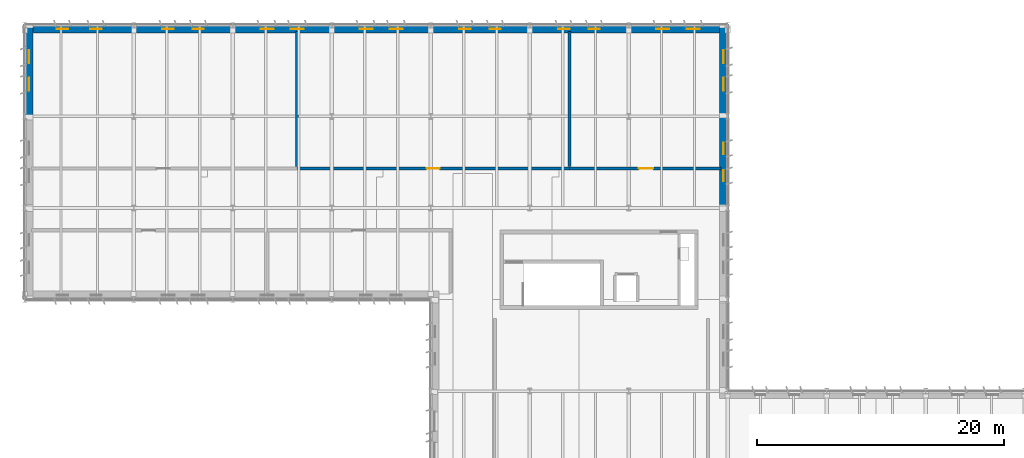
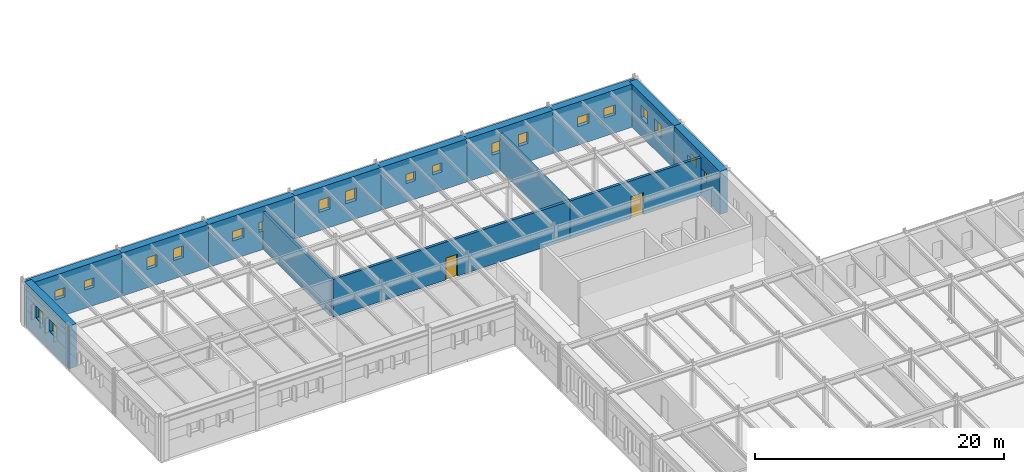
# One storey, part 47 of 75: 20 windows, 14 walls, 2 doors, 22 openings.
"""IFC4 building model written with IfcOpenShell, lengths in metres."""

from ifc_helpers import new_model, si_unit, direction, frame, frame_2d, origin, place, context, subcontext, project, spatial, rectangle, extrude, material, layer, layer_set, type_object, element, fill, save


model = new_model("IFC4")

# Units and contexts
model_context = context("Model", 3, precision=1e-05, world=origin(), true_north=direction((0.0, 1.0)))
body_context = subcontext(model_context, "Body", "Model", "MODEL_VIEW")
ifc_project = project(units=[si_unit("LENGTHUNIT", "METRE"), si_unit("AREAUNIT", "SQUARE_METRE"), si_unit("VOLUMEUNIT", "CUBIC_METRE"), si_unit("PLANEANGLEUNIT", "RADIAN"), si_unit("MASSUNIT", "GRAM", prefix="KILO")], contexts=[model_context])

# Site, building, storey
site_placement = place(None, origin())
site = spatial("IfcSite", under=ifc_project, at=site_placement, CompositionType="ELEMENT")
building_placement = place(site_placement, origin())
building = spatial("IfcBuilding", under=site, at=building_placement, Name="Valkorina Park Police Headquarters", CompositionType="ELEMENT")
storey_placement = place(building_placement, frame((0.0, 0.0, 5.39990234375)))
storey = spatial("IfcBuildingStorey", under=building, at=storey_placement, Name="L02", CompositionType="ELEMENT", Elevation=5.39990234375)

# Wall
ifc_material_1 = material(Name="Concrete C40/50", Category="concrete")
ifc_layer_1 = layer(ifc_material_1, 0.25)
ifc_layer_set_1 = layer_set([ifc_layer_1], Name="Concrete C40/50")
wall_type_1 = type_object("IfcWallType", Name="WL-CUST-250-REI120", PredefinedType="SOLIDWALL", material=ifc_layer_set_1)
wall_1_placement = place(storey_placement, frame((22.0, 99.5400390625, 0.0), z_axis=(0.0, 0.0, 1.0), x_axis=(0.0, 1.0, 0.0)))
element("IfcWall", 1, at=wall_1_placement, inside=storey, type_object=wall_type_1, Name="L02 Interior Partition 0130 (L02-CELL-A)", PredefinedType="SOLIDWALL", context=body_context, shape_type="SweptSolid", body=[
    extrude(rectangle(XDim=10.919921875, YDim=0.25, at=frame_2d((5.4599609375, 0.0))), origin(), (0.0, 0.0, 1.0), 3.650146484375),
])

# Wall, opening, door
wall_2_placement = place(storey_placement, frame((22.0, 99.39990234375, 0.0), z_axis=(0.0, 0.0, 1.0), x_axis=(1.0, 0.0, 0.0)))
wall_2 = element("IfcWall", 2, at=wall_2_placement, inside=storey, type_object=wall_type_1, Name="L02 Interior Partition 0131 (L02-CELL-B)", PredefinedType="SOLIDWALL", context=body_context, shape_type="SweptSolid", body=[
    extrude(rectangle(XDim=22.0, YDim=0.25, at=frame_2d((11.0, 0.0))), origin(), (0.0, 0.0, 1.0), 3.710205078125),
])
opening_1_placement = place(wall_2_placement, frame((10.47509765625, 0.0, 0.0)))
opening_1 = element("IfcOpeningElement", 3, at=opening_1_placement, cuts=wall_2, Name="Opening FD-01", PredefinedType="OPENING", context=body_context, shape_type="SweptSolid", body=[
    extrude(rectangle(XDim=1.050048828125, YDim=2.14990234375, at=frame_2d((0.52490234375, 1.074951171875))), frame((0.0, 0.135009765625, 0.0), z_axis=(0.0, -1.0, 0.0), x_axis=(1.0, 0.0, 0.0)), (0.0, 0.0, 1.0), 0.27001953125),
])
ifc_material_2 = material(Name="Galvanized steel door leaf", Category="steel")
ifc_layer_2 = layer(ifc_material_2, 0.050048828125)
ifc_layer_set_2 = layer_set([ifc_layer_2], Name="Galvanized steel door leaf")
door_type_1 = type_object("IfcDoorType", Name="DR-FIRE-CELL-1050x2150", OperationType="NOTDEFINED", PredefinedType="DOOR", material=ifc_layer_set_2)
door_1_placement = place(opening_1_placement, origin())
door_1 = element("IfcDoor", 4, at=door_1_placement, inside=storey, type_object=door_type_1, Name="Door D-L02-I060 (L02-CELL-B)", OperationType="SINGLE_SWING_LEFT", OverallHeight=2.14990234375, OverallWidth=1.050048828125, PredefinedType="DOOR", context=body_context, shape_type="SweptSolid", body=[
    extrude(rectangle(XDim=1.050048828125, YDim=2.14990234375, at=frame_2d((0.52490234375, 1.074951171875))), frame((0.0, 0.02490234375, 0.0), z_axis=(0.0, -1.0, 0.0), x_axis=(1.0, 0.0, 0.0)), (0.0, 0.0, 1.0), 0.050048828125),
])
fill(opening_1, door_1)

# Wall
wall_3_placement = place(storey_placement, frame((44.0, 99.5400390625, 0.0), z_axis=(0.0, 0.0, 1.0), x_axis=(0.0, 1.0, 0.0)))
element("IfcWall", 5, at=wall_3_placement, inside=storey, type_object=wall_type_1, Name="L02 Interior Partition 0132 (L02-CELL-B)", PredefinedType="SOLIDWALL", context=body_context, shape_type="SweptSolid", body=[
    extrude(rectangle(XDim=10.919921875, YDim=0.25, at=frame_2d((5.4599609375, 0.0))), origin(), (0.0, 0.0, 1.0), 3.650146484375),
])

# Wall, opening, door
wall_4_placement = place(storey_placement, frame((44.0, 99.39990234375, 0.0), z_axis=(0.0, 0.0, 1.0), x_axis=(1.0, 0.0, 0.0)))
wall_4 = element("IfcWall", 6, at=wall_4_placement, inside=storey, type_object=wall_type_1, Name="L02 Interior Partition 0137 (L02-CUS-STAFF)", PredefinedType="SOLIDWALL", context=body_context, shape_type="SweptSolid", body=[
    extrude(rectangle(XDim=12.260009765625, YDim=0.25, at=frame_2d((6.1298828125, 0.0))), origin(), (0.0, 0.0, 1.0), 3.710205078125),
])
opening_2_placement = place(wall_4_placement, frame((5.625, 0.0, 0.0)))
opening_2 = element("IfcOpeningElement", 7, at=opening_2_placement, cuts=wall_4, Name="Opening FD-02", PredefinedType="OPENING", context=body_context, shape_type="SweptSolid", body=[
    extrude(rectangle(XDim=1.14990234375, YDim=2.14990234375, at=frame_2d((0.574951171875, 1.074951171875))), frame((0.0, 0.135009765625, 0.0), z_axis=(0.0, -1.0, 0.0), x_axis=(1.0, 0.0, 0.0)), (0.0, 0.0, 1.0), 0.27001953125),
])
ifc_layer_3 = layer(ifc_material_2, 0.050048828125)
ifc_layer_set_3 = layer_set([ifc_layer_3], Name="Galvanized steel door leaf")
door_type_2 = type_object("IfcDoorType", Name="DR-FIRE-CUST-1150x2150", OperationType="NOTDEFINED", PredefinedType="DOOR", material=ifc_layer_set_3)
door_2_placement = place(opening_2_placement, origin())
door_2 = element("IfcDoor", 8, at=door_2_placement, inside=storey, type_object=door_type_2, Name="Door D-L02-I063 (L02-CUS-STAFF)", OperationType="SINGLE_SWING_RIGHT", OverallHeight=2.14990234375, OverallWidth=1.14990234375, PredefinedType="DOOR", context=body_context, shape_type="SweptSolid", body=[
    extrude(rectangle(XDim=1.14990234375, YDim=2.14990234375, at=frame_2d((0.574951171875, 1.074951171875))), frame((0.0, 0.02490234375, 0.0), z_axis=(0.0, -1.0, 0.0), x_axis=(1.0, 0.0, 0.0)), (0.0, 0.0, 1.0), 0.050048828125),
])
fill(opening_2, door_2)

# Wall, openings, windows
ifc_material_3 = material(Name="Precast concrete C40/50", Category="concrete")
ifc_layer_4 = layer(ifc_material_3, 0.679931640625)
ifc_layer_set_4 = layer_set([ifc_layer_4], Name="Precast concrete C40/50")
wall_type_2 = type_object("IfcWallType", Name="WL-EXT-DOLOMITE-680", PredefinedType="SOLIDWALL", material=ifc_layer_set_4)
wall_5_placement = place(storey_placement, frame((0.340087890625, 103.60009765625, 0.0), z_axis=(0.0, 0.0, 1.0), x_axis=(0.0, 1.0, 0.0)))
wall_5 = element("IfcWall", 9, at=wall_5_placement, inside=storey, type_object=wall_type_2, Name="L02 Architectural Concrete Exterior Wall 0123", PredefinedType="SOLIDWALL", context=body_context, shape_type="SweptSolid", body=[
    extrude(rectangle(XDim=7.164794921875, YDim=0.679931640625, at=frame_2d((3.58251953125, 0.0))), origin(), (0.0, 0.0, 1.0), 4.22021484375),
])
opening_3_placement = place(wall_5_placement, frame((2.066162109375, 0.0, 1.800048828125)))
opening_3 = element("IfcOpeningElement", 10, at=opening_3_placement, cuts=wall_5, Name="Opening WN-16", PredefinedType="OPENING", context=body_context, shape_type="SweptSolid", body=[
    extrude(rectangle(XDim=1.050048828125, YDim=1.199951171875, at=frame_2d((0.52490234375, 0.60009765625))), frame((0.0, 0.35009765625, 0.0), z_axis=(0.0, -1.0, 0.0), x_axis=(1.0, 0.0, 0.0)), (0.0, 0.0, 1.0), 0.699951171875),
])
opening_4_placement = place(wall_5_placement, frame((4.28369140625, 0.0, 1.800048828125)))
opening_4 = element("IfcOpeningElement", 11, at=opening_4_placement, cuts=wall_5, Name="Opening WN-16", PredefinedType="OPENING", context=body_context, shape_type="SweptSolid", body=[
    extrude(rectangle(XDim=1.050048828125, YDim=1.199951171875, at=frame_2d((0.52490234375, 0.60009765625))), frame((0.0, 0.35009765625, 0.0), z_axis=(0.0, -1.0, 0.0), x_axis=(1.0, 0.0, 0.0)), (0.0, 0.0, 1.0), 0.699951171875),
])
ifc_material_4 = material(Name="Ballistic laminated glazing BR4-NS", Category="glass")
ifc_layer_5 = layer(ifc_material_4, 0.06005859375)
ifc_layer_set_5 = layer_set([ifc_layer_5], Name="Ballistic laminated glazing BR4-NS")
window_type_1 = type_object("IfcWindowType", Name="WN-CUST-1050x1200", PartitioningType="SINGLE_PANEL", PredefinedType="WINDOW", material=ifc_layer_set_5)
window_1_placement = place(opening_3_placement, origin())
window_1 = element("IfcWindow", 12, at=window_1_placement, inside=storey, type_object=window_type_1, Name="Window L02-0198", OverallHeight=1.199951171875, OverallWidth=1.050048828125, PartitioningType="SINGLE_PANEL", PredefinedType="WINDOW", context=body_context, shape_type="SweptSolid", body=[
    extrude(rectangle(XDim=1.050048828125, YDim=1.199951171875, at=frame_2d((0.52490234375, 0.60009765625))), frame((0.0, 0.030029296875, 0.0), z_axis=(0.0, -1.0, 0.0), x_axis=(1.0, 0.0, 0.0)), (0.0, 0.0, 1.0), 0.06005859375),
])
fill(opening_3, window_1)
window_2_placement = place(opening_4_placement, origin())
window_2 = element("IfcWindow", 13, at=window_2_placement, inside=storey, type_object=window_type_1, Name="Window L02-0199", OverallHeight=1.199951171875, OverallWidth=1.050048828125, PartitioningType="SINGLE_PANEL", PredefinedType="WINDOW", context=body_context, shape_type="SweptSolid", body=[
    extrude(rectangle(XDim=1.050048828125, YDim=1.199951171875, at=frame_2d((0.52490234375, 0.60009765625))), frame((0.0, 0.030029296875, 0.0), z_axis=(0.0, -1.0, 0.0), x_axis=(1.0, 0.0, 0.0)), (0.0, 0.0, 1.0), 0.06005859375),
])
fill(opening_4, window_2)

wall_6_placement = place(storey_placement, frame((0.159912109375, 110.659912109375, 0.0), z_axis=(0.0, 0.0, 1.0), x_axis=(1.0, 0.0, 0.0)))
wall_6 = element("IfcWall", 14, at=wall_6_placement, inside=storey, type_object=wall_type_2, Name="L02 Architectural Concrete Exterior Wall 0124", PredefinedType="SOLIDWALL", context=body_context, shape_type="SweptSolid", body=[
    extrude(rectangle(XDim=8.64013671875, YDim=0.679931640625, at=frame_2d((4.320068359375, 0.0))), origin(), (0.0, 0.0, 1.0), 4.22021484375),
])
opening_5_placement = place(wall_6_placement, frame((2.43310546875, 0.0, 1.800048828125)))
opening_5 = element("IfcOpeningElement", 15, at=opening_5_placement, cuts=wall_6, Name="Opening WN-13", PredefinedType="OPENING", context=body_context, shape_type="SweptSolid", body=[
    extrude(rectangle(XDim=0.89990234375, YDim=0.89990234375, at=frame_2d((0.449951171875, 0.449951171875))), frame((0.0, 0.35009765625, 0.0), z_axis=(0.0, -1.0, 0.0), x_axis=(1.0, 0.0, 0.0)), (0.0, 0.0, 1.0), 0.699951171875),
])
opening_6_placement = place(wall_6_placement, frame((5.146728515625, 0.0, 1.800048828125)))
opening_6 = element("IfcOpeningElement", 16, at=opening_6_placement, cuts=wall_6, Name="Opening WN-13", PredefinedType="OPENING", context=body_context, shape_type="SweptSolid", body=[
    extrude(rectangle(XDim=0.89990234375, YDim=0.89990234375, at=frame_2d((0.449951171875, 0.449951171875))), frame((0.0, 0.35009765625, 0.0), z_axis=(0.0, -1.0, 0.0), x_axis=(1.0, 0.0, 0.0)), (0.0, 0.0, 1.0), 0.699951171875),
])
ifc_layer_6 = layer(ifc_material_4, 0.06005859375)
ifc_layer_set_6 = layer_set([ifc_layer_6], Name="Ballistic laminated glazing BR4-NS")
window_type_2 = type_object("IfcWindowType", Name="WN-CUST-900x900", PartitioningType="SINGLE_PANEL", PredefinedType="WINDOW", material=ifc_layer_set_6)
window_3_placement = place(opening_5_placement, origin())
window_3 = element("IfcWindow", 17, at=window_3_placement, inside=storey, type_object=window_type_2, Name="Window L02-0200", OverallHeight=0.89990234375, OverallWidth=0.89990234375, PartitioningType="SINGLE_PANEL", PredefinedType="WINDOW", context=body_context, shape_type="SweptSolid", body=[
    extrude(rectangle(XDim=0.89990234375, YDim=0.89990234375, at=frame_2d((0.449951171875, 0.449951171875))), frame((0.0, 0.030029296875, 0.0), z_axis=(0.0, -1.0, 0.0), x_axis=(1.0, 0.0, 0.0)), (0.0, 0.0, 1.0), 0.06005859375),
])
fill(opening_5, window_3)
window_4_placement = place(opening_6_placement, origin())
window_4 = element("IfcWindow", 18, at=window_4_placement, inside=storey, type_object=window_type_2, Name="Window L02-0201", OverallHeight=0.89990234375, OverallWidth=0.89990234375, PartitioningType="SINGLE_PANEL", PredefinedType="WINDOW", context=body_context, shape_type="SweptSolid", body=[
    extrude(rectangle(XDim=0.89990234375, YDim=0.89990234375, at=frame_2d((0.449951171875, 0.449951171875))), frame((0.0, 0.030029296875, 0.0), z_axis=(0.0, -1.0, 0.0), x_axis=(1.0, 0.0, 0.0)), (0.0, 0.0, 1.0), 0.06005859375),
])
fill(opening_6, window_4)

wall_7_placement = place(storey_placement, frame((8.800048828125, 110.659912109375, 0.0), z_axis=(0.0, 0.0, 1.0), x_axis=(1.0, 0.0, 0.0)))
wall_7 = element("IfcWall", 19, at=wall_7_placement, inside=storey, type_object=wall_type_2, Name="L02 Architectural Concrete Exterior Wall 0125", PredefinedType="SOLIDWALL", context=body_context, shape_type="SweptSolid", body=[
    extrude(rectangle(XDim=8.0, YDim=0.679931640625, at=frame_2d((4.0, 0.0))), origin(), (0.0, 0.0, 1.0), 4.22021484375),
])
opening_7_placement = place(wall_7_placement, frame((2.3212890625, 0.0, 1.800048828125)))
opening_7 = element("IfcOpeningElement", 20, at=opening_7_placement, cuts=wall_7, Name="Opening WN-14", PredefinedType="OPENING", context=body_context, shape_type="SweptSolid", body=[
    extrude(rectangle(XDim=0.89990234375, YDim=1.14990234375, at=frame_2d((0.449951171875, 0.574951171875))), frame((0.0, 0.35009765625, 0.0), z_axis=(0.0, -1.0, 0.0), x_axis=(1.0, 0.0, 0.0)), (0.0, 0.0, 1.0), 0.699951171875),
])
opening_8_placement = place(wall_7_placement, frame((4.77880859375, 0.0, 1.800048828125)))
opening_8 = element("IfcOpeningElement", 21, at=opening_8_placement, cuts=wall_7, Name="Opening WN-14", PredefinedType="OPENING", context=body_context, shape_type="SweptSolid", body=[
    extrude(rectangle(XDim=0.89990234375, YDim=1.14990234375, at=frame_2d((0.449951171875, 0.574951171875))), frame((0.0, 0.35009765625, 0.0), z_axis=(0.0, -1.0, 0.0), x_axis=(1.0, 0.0, 0.0)), (0.0, 0.0, 1.0), 0.699951171875),
])
ifc_layer_7 = layer(ifc_material_4, 0.06005859375)
ifc_layer_set_7 = layer_set([ifc_layer_7], Name="Ballistic laminated glazing BR4-NS")
window_type_3 = type_object("IfcWindowType", Name="WN-CUST-900x1150", PartitioningType="SINGLE_PANEL", PredefinedType="WINDOW", material=ifc_layer_set_7)
window_5_placement = place(opening_7_placement, origin())
window_5 = element("IfcWindow", 22, at=window_5_placement, inside=storey, type_object=window_type_3, Name="Window L02-0202", OverallHeight=1.14990234375, OverallWidth=0.89990234375, PartitioningType="SINGLE_PANEL", PredefinedType="WINDOW", context=body_context, shape_type="SweptSolid", body=[
    extrude(rectangle(XDim=0.89990234375, YDim=1.14990234375, at=frame_2d((0.449951171875, 0.574951171875))), frame((0.0, 0.030029296875, 0.0), z_axis=(0.0, -1.0, 0.0), x_axis=(1.0, 0.0, 0.0)), (0.0, 0.0, 1.0), 0.06005859375),
])
fill(opening_7, window_5)
window_6_placement = place(opening_8_placement, origin())
window_6 = element("IfcWindow", 23, at=window_6_placement, inside=storey, type_object=window_type_3, Name="Window L02-0203", OverallHeight=1.14990234375, OverallWidth=0.89990234375, PartitioningType="SINGLE_PANEL", PredefinedType="WINDOW", context=body_context, shape_type="SweptSolid", body=[
    extrude(rectangle(XDim=0.89990234375, YDim=1.14990234375, at=frame_2d((0.449951171875, 0.574951171875))), frame((0.0, 0.030029296875, 0.0), z_axis=(0.0, -1.0, 0.0), x_axis=(1.0, 0.0, 0.0)), (0.0, 0.0, 1.0), 0.06005859375),
])
fill(opening_8, window_6)

wall_8_placement = place(storey_placement, frame((16.800048828125, 110.659912109375, 0.0), z_axis=(0.0, 0.0, 1.0), x_axis=(1.0, 0.0, 0.0)))
wall_8 = element("IfcWall", 24, at=wall_8_placement, inside=storey, type_object=wall_type_2, Name="L02 Architectural Concrete Exterior Wall 0126", PredefinedType="SOLIDWALL", context=body_context, shape_type="SweptSolid", body=[
    extrude(rectangle(XDim=8.0, YDim=0.679931640625, at=frame_2d((4.0, 0.0))), origin(), (0.0, 0.0, 1.0), 4.22021484375),
])
opening_9_placement = place(wall_8_placement, frame((2.24609375, 0.0, 1.800048828125)))
opening_9 = element("IfcOpeningElement", 25, at=opening_9_placement, cuts=wall_8, Name="Opening WN-15", PredefinedType="OPENING", context=body_context, shape_type="SweptSolid", body=[
    extrude(rectangle(XDim=1.050048828125, YDim=0.949951171875, at=frame_2d((0.52490234375, 0.47509765625))), frame((0.0, 0.35009765625, 0.0), z_axis=(0.0, -1.0, 0.0), x_axis=(1.0, 0.0, 0.0)), (0.0, 0.0, 1.0), 0.699951171875),
])
opening_10_placement = place(wall_8_placement, frame((4.703857421875, 0.0, 1.800048828125)))
opening_10 = element("IfcOpeningElement", 26, at=opening_10_placement, cuts=wall_8, Name="Opening WN-15", PredefinedType="OPENING", context=body_context, shape_type="SweptSolid", body=[
    extrude(rectangle(XDim=1.050048828125, YDim=0.949951171875, at=frame_2d((0.52490234375, 0.47509765625))), frame((0.0, 0.35009765625, 0.0), z_axis=(0.0, -1.0, 0.0), x_axis=(1.0, 0.0, 0.0)), (0.0, 0.0, 1.0), 0.699951171875),
])
ifc_layer_8 = layer(ifc_material_4, 0.06005859375)
ifc_layer_set_8 = layer_set([ifc_layer_8], Name="Ballistic laminated glazing BR4-NS")
window_type_4 = type_object("IfcWindowType", Name="WN-CUST-1050x950", PartitioningType="SINGLE_PANEL", PredefinedType="WINDOW", material=ifc_layer_set_8)
window_7_placement = place(opening_9_placement, origin())
window_7 = element("IfcWindow", 27, at=window_7_placement, inside=storey, type_object=window_type_4, Name="Window L02-0204", OverallHeight=0.949951171875, OverallWidth=1.050048828125, PartitioningType="SINGLE_PANEL", PredefinedType="WINDOW", context=body_context, shape_type="SweptSolid", body=[
    extrude(rectangle(XDim=1.050048828125, YDim=0.949951171875, at=frame_2d((0.52490234375, 0.47509765625))), frame((0.0, 0.030029296875, 0.0), z_axis=(0.0, -1.0, 0.0), x_axis=(1.0, 0.0, 0.0)), (0.0, 0.0, 1.0), 0.06005859375),
])
fill(opening_9, window_7)
window_8_placement = place(opening_10_placement, origin())
window_8 = element("IfcWindow", 28, at=window_8_placement, inside=storey, type_object=window_type_4, Name="Window L02-0205", OverallHeight=0.949951171875, OverallWidth=1.050048828125, PartitioningType="SINGLE_PANEL", PredefinedType="WINDOW", context=body_context, shape_type="SweptSolid", body=[
    extrude(rectangle(XDim=1.050048828125, YDim=0.949951171875, at=frame_2d((0.52490234375, 0.47509765625))), frame((0.0, 0.030029296875, 0.0), z_axis=(0.0, -1.0, 0.0), x_axis=(1.0, 0.0, 0.0)), (0.0, 0.0, 1.0), 0.06005859375),
])
fill(opening_10, window_8)

wall_9_placement = place(storey_placement, frame((24.800048828125, 110.659912109375, 0.0), z_axis=(0.0, 0.0, 1.0), x_axis=(1.0, 0.0, 0.0)))
wall_9 = element("IfcWall", 29, at=wall_9_placement, inside=storey, type_object=wall_type_2, Name="L02 Architectural Concrete Exterior Wall 0127", PredefinedType="SOLIDWALL", context=body_context, shape_type="SweptSolid", body=[
    extrude(rectangle(XDim=8.0, YDim=0.679931640625, at=frame_2d((4.0, 0.0))), origin(), (0.0, 0.0, 1.0), 4.22021484375),
])
opening_11_placement = place(wall_9_placement, frame((2.24609375, 0.0, 1.800048828125)))
opening_11 = element("IfcOpeningElement", 30, at=opening_11_placement, cuts=wall_9, Name="Opening WN-16", PredefinedType="OPENING", context=body_context, shape_type="SweptSolid", body=[
    extrude(rectangle(XDim=1.050048828125, YDim=1.199951171875, at=frame_2d((0.52490234375, 0.60009765625))), frame((0.0, 0.35009765625, 0.0), z_axis=(0.0, -1.0, 0.0), x_axis=(1.0, 0.0, 0.0)), (0.0, 0.0, 1.0), 0.699951171875),
])
opening_12_placement = place(wall_9_placement, frame((4.703857421875, 0.0, 1.800048828125)))
opening_12 = element("IfcOpeningElement", 31, at=opening_12_placement, cuts=wall_9, Name="Opening WN-16", PredefinedType="OPENING", context=body_context, shape_type="SweptSolid", body=[
    extrude(rectangle(XDim=1.050048828125, YDim=1.199951171875, at=frame_2d((0.52490234375, 0.60009765625))), frame((0.0, 0.35009765625, 0.0), z_axis=(0.0, -1.0, 0.0), x_axis=(1.0, 0.0, 0.0)), (0.0, 0.0, 1.0), 0.699951171875),
])
window_9_placement = place(opening_11_placement, origin())
window_9 = element("IfcWindow", 32, at=window_9_placement, inside=storey, type_object=window_type_1, Name="Window L02-0206", OverallHeight=1.199951171875, OverallWidth=1.050048828125, PartitioningType="SINGLE_PANEL", PredefinedType="WINDOW", context=body_context, shape_type="SweptSolid", body=[
    extrude(rectangle(XDim=1.050048828125, YDim=1.199951171875, at=frame_2d((0.52490234375, 0.60009765625))), frame((0.0, 0.030029296875, 0.0), z_axis=(0.0, -1.0, 0.0), x_axis=(1.0, 0.0, 0.0)), (0.0, 0.0, 1.0), 0.06005859375),
])
fill(opening_11, window_9)
window_10_placement = place(opening_12_placement, origin())
window_10 = element("IfcWindow", 33, at=window_10_placement, inside=storey, type_object=window_type_1, Name="Window L02-0207", OverallHeight=1.199951171875, OverallWidth=1.050048828125, PartitioningType="SINGLE_PANEL", PredefinedType="WINDOW", context=body_context, shape_type="SweptSolid", body=[
    extrude(rectangle(XDim=1.050048828125, YDim=1.199951171875, at=frame_2d((0.52490234375, 0.60009765625))), frame((0.0, 0.030029296875, 0.0), z_axis=(0.0, -1.0, 0.0), x_axis=(1.0, 0.0, 0.0)), (0.0, 0.0, 1.0), 0.06005859375),
])
fill(opening_12, window_10)

wall_10_placement = place(storey_placement, frame((32.800048828125, 110.659912109375, 0.0), z_axis=(0.0, 0.0, 1.0), x_axis=(1.0, 0.0, 0.0)))
wall_10 = element("IfcWall", 34, at=wall_10_placement, inside=storey, type_object=wall_type_2, Name="L02 Architectural Concrete Exterior Wall 0128", PredefinedType="SOLIDWALL", context=body_context, shape_type="SweptSolid", body=[
    extrude(rectangle(XDim=8.0, YDim=0.679931640625, at=frame_2d((4.0, 0.0))), origin(), (0.0, 0.0, 1.0), 4.22021484375),
])
opening_13_placement = place(wall_10_placement, frame((2.3212890625, 0.0, 1.800048828125)))
opening_13 = element("IfcOpeningElement", 35, at=opening_13_placement, cuts=wall_10, Name="Opening WN-13", PredefinedType="OPENING", context=body_context, shape_type="SweptSolid", body=[
    extrude(rectangle(XDim=0.89990234375, YDim=0.89990234375, at=frame_2d((0.449951171875, 0.449951171875))), frame((0.0, 0.35009765625, 0.0), z_axis=(0.0, -1.0, 0.0), x_axis=(1.0, 0.0, 0.0)), (0.0, 0.0, 1.0), 0.699951171875),
])
opening_14_placement = place(wall_10_placement, frame((4.77880859375, 0.0, 1.800048828125)))
opening_14 = element("IfcOpeningElement", 36, at=opening_14_placement, cuts=wall_10, Name="Opening WN-13", PredefinedType="OPENING", context=body_context, shape_type="SweptSolid", body=[
    extrude(rectangle(XDim=0.89990234375, YDim=0.89990234375, at=frame_2d((0.449951171875, 0.449951171875))), frame((0.0, 0.35009765625, 0.0), z_axis=(0.0, -1.0, 0.0), x_axis=(1.0, 0.0, 0.0)), (0.0, 0.0, 1.0), 0.699951171875),
])
window_11_placement = place(opening_13_placement, origin())
window_11 = element("IfcWindow", 37, at=window_11_placement, inside=storey, type_object=window_type_2, Name="Window L02-0208", OverallHeight=0.89990234375, OverallWidth=0.89990234375, PartitioningType="SINGLE_PANEL", PredefinedType="WINDOW", context=body_context, shape_type="SweptSolid", body=[
    extrude(rectangle(XDim=0.89990234375, YDim=0.89990234375, at=frame_2d((0.449951171875, 0.449951171875))), frame((0.0, 0.030029296875, 0.0), z_axis=(0.0, -1.0, 0.0), x_axis=(1.0, 0.0, 0.0)), (0.0, 0.0, 1.0), 0.06005859375),
])
fill(opening_13, window_11)
window_12_placement = place(opening_14_placement, origin())
window_12 = element("IfcWindow", 38, at=window_12_placement, inside=storey, type_object=window_type_2, Name="Window L02-0209", OverallHeight=0.89990234375, OverallWidth=0.89990234375, PartitioningType="SINGLE_PANEL", PredefinedType="WINDOW", context=body_context, shape_type="SweptSolid", body=[
    extrude(rectangle(XDim=0.89990234375, YDim=0.89990234375, at=frame_2d((0.449951171875, 0.449951171875))), frame((0.0, 0.030029296875, 0.0), z_axis=(0.0, -1.0, 0.0), x_axis=(1.0, 0.0, 0.0)), (0.0, 0.0, 1.0), 0.06005859375),
])
fill(opening_14, window_12)

wall_11_placement = place(storey_placement, frame((40.800048828125, 110.659912109375, 0.0), z_axis=(0.0, 0.0, 1.0), x_axis=(1.0, 0.0, 0.0)))
wall_11 = element("IfcWall", 39, at=wall_11_placement, inside=storey, type_object=wall_type_2, Name="L02 Architectural Concrete Exterior Wall 0129", PredefinedType="SOLIDWALL", context=body_context, shape_type="SweptSolid", body=[
    extrude(rectangle(XDim=8.0, YDim=0.679931640625, at=frame_2d((4.0, 0.0))), origin(), (0.0, 0.0, 1.0), 4.22021484375),
])
opening_15_placement = place(wall_11_placement, frame((2.3212890625, 0.0, 1.800048828125)))
opening_15 = element("IfcOpeningElement", 40, at=opening_15_placement, cuts=wall_11, Name="Opening WN-14", PredefinedType="OPENING", context=body_context, shape_type="SweptSolid", body=[
    extrude(rectangle(XDim=0.89990234375, YDim=1.14990234375, at=frame_2d((0.449951171875, 0.574951171875))), frame((0.0, 0.35009765625, 0.0), z_axis=(0.0, -1.0, 0.0), x_axis=(1.0, 0.0, 0.0)), (0.0, 0.0, 1.0), 0.699951171875),
])
opening_16_placement = place(wall_11_placement, frame((4.77880859375, 0.0, 1.800048828125)))
opening_16 = element("IfcOpeningElement", 41, at=opening_16_placement, cuts=wall_11, Name="Opening WN-14", PredefinedType="OPENING", context=body_context, shape_type="SweptSolid", body=[
    extrude(rectangle(XDim=0.89990234375, YDim=1.14990234375, at=frame_2d((0.449951171875, 0.574951171875))), frame((0.0, 0.35009765625, 0.0), z_axis=(0.0, -1.0, 0.0), x_axis=(1.0, 0.0, 0.0)), (0.0, 0.0, 1.0), 0.699951171875),
])
window_13_placement = place(opening_15_placement, origin())
window_13 = element("IfcWindow", 42, at=window_13_placement, inside=storey, type_object=window_type_3, Name="Window L02-0210", OverallHeight=1.14990234375, OverallWidth=0.89990234375, PartitioningType="SINGLE_PANEL", PredefinedType="WINDOW", context=body_context, shape_type="SweptSolid", body=[
    extrude(rectangle(XDim=0.89990234375, YDim=1.14990234375, at=frame_2d((0.449951171875, 0.574951171875))), frame((0.0, 0.030029296875, 0.0), z_axis=(0.0, -1.0, 0.0), x_axis=(1.0, 0.0, 0.0)), (0.0, 0.0, 1.0), 0.06005859375),
])
fill(opening_15, window_13)
window_14_placement = place(opening_16_placement, origin())
window_14 = element("IfcWindow", 43, at=window_14_placement, inside=storey, type_object=window_type_3, Name="Window L02-0211", OverallHeight=1.14990234375, OverallWidth=0.89990234375, PartitioningType="SINGLE_PANEL", PredefinedType="WINDOW", context=body_context, shape_type="SweptSolid", body=[
    extrude(rectangle(XDim=0.89990234375, YDim=1.14990234375, at=frame_2d((0.449951171875, 0.574951171875))), frame((0.0, 0.030029296875, 0.0), z_axis=(0.0, -1.0, 0.0), x_axis=(1.0, 0.0, 0.0)), (0.0, 0.0, 1.0), 0.06005859375),
])
fill(opening_16, window_14)

wall_12_placement = place(storey_placement, frame((48.800048828125, 110.659912109375, 0.0), z_axis=(0.0, 0.0, 1.0), x_axis=(1.0, 0.0, 0.0)))
wall_12 = element("IfcWall", 44, at=wall_12_placement, inside=storey, type_object=wall_type_2, Name="L02 Architectural Concrete Exterior Wall 0130", PredefinedType="SOLIDWALL", context=body_context, shape_type="SweptSolid", body=[
    extrude(rectangle(XDim=7.83984375, YDim=0.679931640625, at=frame_2d((3.919921875, 0.0))), origin(), (0.0, 0.0, 1.0), 4.22021484375),
])
opening_17_placement = place(wall_12_placement, frame((2.24609375, 0.0, 1.800048828125)))
opening_17 = element("IfcOpeningElement", 45, at=opening_17_placement, cuts=wall_12, Name="Opening WN-15", PredefinedType="OPENING", context=body_context, shape_type="SweptSolid", body=[
    extrude(rectangle(XDim=1.050048828125, YDim=0.949951171875, at=frame_2d((0.52490234375, 0.47509765625))), frame((0.0, 0.35009765625, 0.0), z_axis=(0.0, -1.0, 0.0), x_axis=(1.0, 0.0, 0.0)), (0.0, 0.0, 1.0), 0.699951171875),
])
opening_18_placement = place(wall_12_placement, frame((4.703857421875, 0.0, 1.800048828125)))
opening_18 = element("IfcOpeningElement", 46, at=opening_18_placement, cuts=wall_12, Name="Opening WN-15", PredefinedType="OPENING", context=body_context, shape_type="SweptSolid", body=[
    extrude(rectangle(XDim=1.050048828125, YDim=0.949951171875, at=frame_2d((0.52490234375, 0.47509765625))), frame((0.0, 0.35009765625, 0.0), z_axis=(0.0, -1.0, 0.0), x_axis=(1.0, 0.0, 0.0)), (0.0, 0.0, 1.0), 0.699951171875),
])
window_15_placement = place(opening_17_placement, origin())
window_15 = element("IfcWindow", 47, at=window_15_placement, inside=storey, type_object=window_type_4, Name="Window L02-0212", OverallHeight=0.949951171875, OverallWidth=1.050048828125, PartitioningType="SINGLE_PANEL", PredefinedType="WINDOW", context=body_context, shape_type="SweptSolid", body=[
    extrude(rectangle(XDim=1.050048828125, YDim=0.949951171875, at=frame_2d((0.52490234375, 0.47509765625))), frame((0.0, 0.030029296875, 0.0), z_axis=(0.0, -1.0, 0.0), x_axis=(1.0, 0.0, 0.0)), (0.0, 0.0, 1.0), 0.06005859375),
])
fill(opening_17, window_15)
window_16_placement = place(opening_18_placement, origin())
window_16 = element("IfcWindow", 48, at=window_16_placement, inside=storey, type_object=window_type_4, Name="Window L02-0213", OverallHeight=0.949951171875, OverallWidth=1.050048828125, PartitioningType="SINGLE_PANEL", PredefinedType="WINDOW", context=body_context, shape_type="SweptSolid", body=[
    extrude(rectangle(XDim=1.050048828125, YDim=0.949951171875, at=frame_2d((0.52490234375, 0.47509765625))), frame((0.0, 0.030029296875, 0.0), z_axis=(0.0, -1.0, 0.0), x_axis=(1.0, 0.0, 0.0)), (0.0, 0.0, 1.0), 0.06005859375),
])
fill(opening_18, window_16)

wall_13_placement = place(storey_placement, frame((56.4599609375, 110.764892578125, 0.0), z_axis=(0.0, 0.0, 1.0), x_axis=(0.0, -1.0, 0.0)))
wall_13 = element("IfcWall", 49, at=wall_13_placement, inside=storey, type_object=wall_type_2, Name="L02 Architectural Concrete Exterior Wall 0131", PredefinedType="SOLIDWALL", context=body_context, shape_type="SweptSolid", body=[
    extrude(rectangle(XDim=7.164794921875, YDim=0.679931640625, at=frame_2d((3.58251953125, 0.0))), origin(), (0.0, 0.0, 1.0), 4.22021484375),
])
opening_19_placement = place(wall_13_placement, frame((1.831298828125, 0.0, 1.800048828125)))
opening_19 = element("IfcOpeningElement", 50, at=opening_19_placement, cuts=wall_13, Name="Opening WN-16", PredefinedType="OPENING", context=body_context, shape_type="SweptSolid", body=[
    extrude(rectangle(XDim=1.050048828125, YDim=1.199951171875, at=frame_2d((0.52490234375, 0.60009765625))), frame((0.0, 0.35009765625, 0.0), z_axis=(0.0, -1.0, 0.0), x_axis=(1.0, 0.0, 0.0)), (0.0, 0.0, 1.0), 0.699951171875),
])
opening_20_placement = place(wall_13_placement, frame((4.048828125, 0.0, 1.800048828125)))
opening_20 = element("IfcOpeningElement", 51, at=opening_20_placement, cuts=wall_13, Name="Opening WN-16", PredefinedType="OPENING", context=body_context, shape_type="SweptSolid", body=[
    extrude(rectangle(XDim=1.050048828125, YDim=1.199951171875, at=frame_2d((0.52490234375, 0.60009765625))), frame((0.0, 0.35009765625, 0.0), z_axis=(0.0, -1.0, 0.0), x_axis=(1.0, 0.0, 0.0)), (0.0, 0.0, 1.0), 0.699951171875),
])
window_17_placement = place(opening_19_placement, origin())
window_17 = element("IfcWindow", 52, at=window_17_placement, inside=storey, type_object=window_type_1, Name="Window L02-0214", OverallHeight=1.199951171875, OverallWidth=1.050048828125, PartitioningType="SINGLE_PANEL", PredefinedType="WINDOW", context=body_context, shape_type="SweptSolid", body=[
    extrude(rectangle(XDim=1.050048828125, YDim=1.199951171875, at=frame_2d((0.52490234375, 0.60009765625))), frame((0.0, 0.030029296875, 0.0), z_axis=(0.0, -1.0, 0.0), x_axis=(1.0, 0.0, 0.0)), (0.0, 0.0, 1.0), 0.06005859375),
])
fill(opening_19, window_17)
window_18_placement = place(opening_20_placement, origin())
window_18 = element("IfcWindow", 53, at=window_18_placement, inside=storey, type_object=window_type_1, Name="Window L02-0215", OverallHeight=1.199951171875, OverallWidth=1.050048828125, PartitioningType="SINGLE_PANEL", PredefinedType="WINDOW", context=body_context, shape_type="SweptSolid", body=[
    extrude(rectangle(XDim=1.050048828125, YDim=1.199951171875, at=frame_2d((0.52490234375, 0.60009765625))), frame((0.0, 0.030029296875, 0.0), z_axis=(0.0, -1.0, 0.0), x_axis=(1.0, 0.0, 0.0)), (0.0, 0.0, 1.0), 0.06005859375),
])
fill(opening_20, window_18)

wall_14_placement = place(storey_placement, frame((56.4599609375, 103.60009765625, 0.0), z_axis=(0.0, 0.0, 1.0), x_axis=(0.0, -1.0, 0.0)))
wall_14 = element("IfcWall", 54, at=wall_14_placement, inside=storey, type_object=wall_type_2, Name="L02 Architectural Concrete Exterior Wall 0132", PredefinedType="SOLIDWALL", context=body_context, shape_type="SweptSolid", body=[
    extrude(rectangle(XDim=7.400146484375, YDim=0.679931640625, at=frame_2d((3.7001953125, 0.0))), origin(), (0.0, 0.0, 1.0), 4.22021484375),
])
opening_21_placement = place(wall_14_placement, frame((2.14111328125, 0.0, 1.800048828125)))
opening_21 = element("IfcOpeningElement", 55, at=opening_21_placement, cuts=wall_14, Name="Opening WN-13", PredefinedType="OPENING", context=body_context, shape_type="SweptSolid", body=[
    extrude(rectangle(XDim=0.89990234375, YDim=0.89990234375, at=frame_2d((0.449951171875, 0.449951171875))), frame((0.0, 0.35009765625, 0.0), z_axis=(0.0, -1.0, 0.0), x_axis=(1.0, 0.0, 0.0)), (0.0, 0.0, 1.0), 0.699951171875),
])
opening_22_placement = place(wall_14_placement, frame((4.35888671875, 0.0, 1.800048828125)))
opening_22 = element("IfcOpeningElement", 56, at=opening_22_placement, cuts=wall_14, Name="Opening WN-13", PredefinedType="OPENING", context=body_context, shape_type="SweptSolid", body=[
    extrude(rectangle(XDim=0.89990234375, YDim=0.89990234375, at=frame_2d((0.449951171875, 0.449951171875))), frame((0.0, 0.35009765625, 0.0), z_axis=(0.0, -1.0, 0.0), x_axis=(1.0, 0.0, 0.0)), (0.0, 0.0, 1.0), 0.699951171875),
])
window_19_placement = place(opening_21_placement, origin())
window_19 = element("IfcWindow", 57, at=window_19_placement, inside=storey, type_object=window_type_2, Name="Window L02-0216", OverallHeight=0.89990234375, OverallWidth=0.89990234375, PartitioningType="SINGLE_PANEL", PredefinedType="WINDOW", context=body_context, shape_type="SweptSolid", body=[
    extrude(rectangle(XDim=0.89990234375, YDim=0.89990234375, at=frame_2d((0.449951171875, 0.449951171875))), frame((0.0, 0.030029296875, 0.0), z_axis=(0.0, -1.0, 0.0), x_axis=(1.0, 0.0, 0.0)), (0.0, 0.0, 1.0), 0.06005859375),
])
fill(opening_21, window_19)
window_20_placement = place(opening_22_placement, origin())
window_20 = element("IfcWindow", 58, at=window_20_placement, inside=storey, type_object=window_type_2, Name="Window L02-0217", OverallHeight=0.89990234375, OverallWidth=0.89990234375, PartitioningType="SINGLE_PANEL", PredefinedType="WINDOW", context=body_context, shape_type="SweptSolid", body=[
    extrude(rectangle(XDim=0.89990234375, YDim=0.89990234375, at=frame_2d((0.449951171875, 0.449951171875))), frame((0.0, 0.030029296875, 0.0), z_axis=(0.0, -1.0, 0.0), x_axis=(1.0, 0.0, 0.0)), (0.0, 0.0, 1.0), 0.06005859375),
])
fill(opening_22, window_20)

save(model, "model.ifc")
